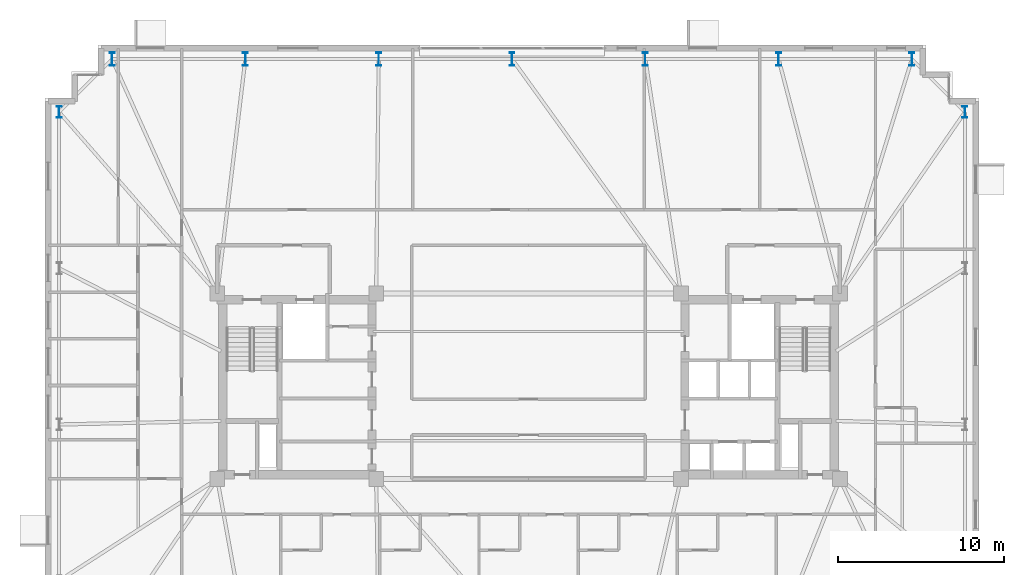
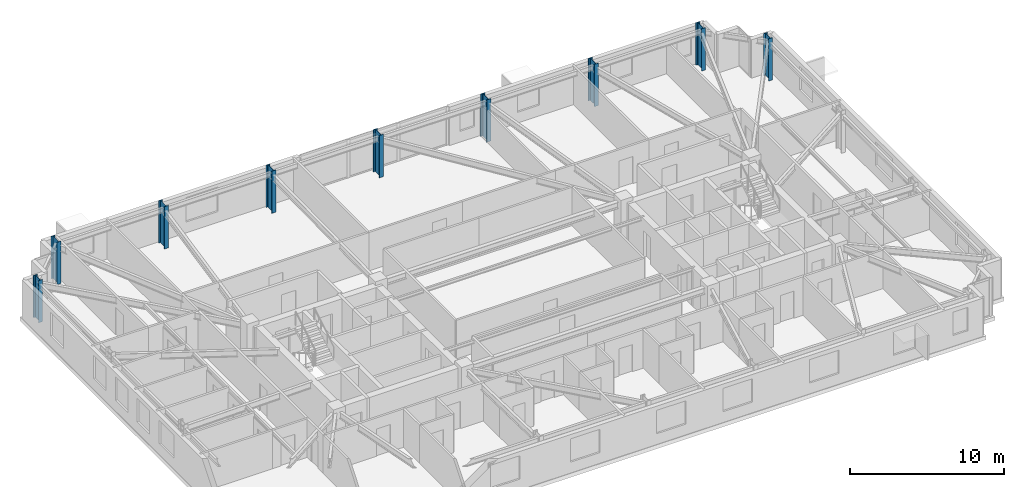
# One storey, part 2 of 18: 9 columns.
"""IFC4 building model written with IfcOpenShell, lengths in metres."""

import ifcopenshell
import ifcopenshell.guid

model = None  # the IFC model being written
_history = None  # IfcOwnerHistory: only IFC2X3 demands one
_inside = {}  # id of a spatial element -> (the spatial element, [elements in it])
_under = {}  # id of a project, library or spatial element -> (it, [spatial elements below it])
_declared = {}  # id of a project -> (the project, [libraries it declares])
_typed = {}  # id of a type object -> (the type object, [elements of that type])
_made_of = {}  # id of a material, layer set ... -> (it, [elements and type objects made of it])


def new_model(schema):
    """Start an empty IFC model of exactly this schema.

    Asked for "IFC4X3", IfcOpenShell would pick the latest addendum, in which some entities
    have other attributes; the version numbers below select the first issue.
    IFC2X3 requires an IfcOwnerHistory on every rooted entity: one is made here for all.
    """
    global model, _history
    if schema == "IFC4X3":
        model = ifcopenshell.file(schema_version=(4, 3, 0, 0))
    else:
        model = ifcopenshell.file(schema=schema)
    _inside.clear()
    _under.clear()
    _declared.clear()
    _typed.clear()
    _made_of.clear()
    _history = None
    if model.schema == "IFC2X3":
        org = make("IfcOrganization", Name="unknown")
        user = make(
            "IfcPersonAndOrganization",
            ThePerson=make("IfcPerson", FamilyName="unknown"),
            TheOrganization=org,
        )
        app = make(
            "IfcApplication",
            ApplicationDeveloper=org,
            Version="unknown",
            ApplicationFullName="unknown",
            ApplicationIdentifier="unknown",
        )
        _history = make(
            "IfcOwnerHistory",
            OwningUser=user,
            OwningApplication=app,
            ChangeAction="ADDED",
            CreationDate=0,
        )
    return model


def make(cls, **values):
    """One entity of the class cls with the attributes given. An attribute that is None is left unset."""
    return model.create_entity(
        cls, **{name: value for name, value in values.items() if value is not None}
    )


def rooted(cls, **values):
    """An entity with a GlobalId (a new one), such as an element, a storey or a relation."""
    return make(cls, GlobalId=ifcopenshell.guid.new(), OwnerHistory=_history, **values)


def si_unit(unit_type, name, prefix=None):
    """IfcSIUnit, for example si_unit("LENGTHUNIT", "METRE", prefix="MILLI")."""
    return make("IfcSIUnit", UnitType=unit_type, Prefix=prefix, Name=name)


def assignment(units):
    """IfcUnitAssignment: the units of a project."""
    return None if units is None else make("IfcUnitAssignment", Units=units)


def point(xyz):
    """IfcCartesianPoint."""
    return None if xyz is None else make("IfcCartesianPoint", Coordinates=xyz)


def direction(xyz):
    """IfcDirection."""
    return None if xyz is None else make("IfcDirection", DirectionRatios=xyz)


def frame(location, z_axis=None, x_axis=None):
    """IfcAxis2Placement3D, a coordinate frame: its origin and axes. An axis left out is left unset."""
    return make(
        "IfcAxis2Placement3D",
        Location=point(location),
        Axis=direction(z_axis),
        RefDirection=direction(x_axis),
    )


def frame_2d(location, x_axis=None):
    """IfcAxis2Placement2D, a coordinate frame in the plane: its origin and x axis."""
    return make(
        "IfcAxis2Placement2D", Location=point(location), RefDirection=direction(x_axis)
    )


def origin():
    """The frame at (0, 0, 0) with its axes left unset."""
    return frame((0.0, 0.0, 0.0))


def origin_2d():
    """The frame at (0, 0) in the plane with its x axis left unset."""
    return frame_2d((0.0, 0.0))


def place(relative_to, where):
    """IfcLocalPlacement: puts the frame where relative to a parent placement (None: the world)."""
    return make(
        "IfcLocalPlacement", PlacementRelTo=relative_to, RelativePlacement=where
    )


def context(
    kind, dimensions, precision=None, world=None, true_north=None, identifier=None
):
    """IfcGeometricRepresentationContext, for example the 3D "Model" context."""
    return make(
        "IfcGeometricRepresentationContext",
        ContextIdentifier=identifier,
        ContextType=kind,
        CoordinateSpaceDimension=dimensions,
        Precision=precision,
        WorldCoordinateSystem=world,
        TrueNorth=true_north,
    )


def subcontext(parent, identifier, kind, view, scale=None):
    """IfcGeometricRepresentationSubContext, for example "Body" below "Model"."""
    return make(
        "IfcGeometricRepresentationSubContext",
        ContextIdentifier=identifier,
        ContextType=kind,
        ParentContext=parent,
        TargetScale=scale,
        TargetView=view,
    )


def project(units=None, contexts=None):
    """IfcProject with its units and contexts."""
    return rooted(
        "IfcProject",
        Name="project",
        RepresentationContexts=contexts,
        UnitsInContext=assignment(units),
    )


def spatial(cls, under=None, at=None, **own):
    """A site, building, storey or space (cls), placed at a placement, below another one or the project."""
    s = rooted(cls, ObjectPlacement=at, **own)
    if under is not None:
        _under.setdefault(under.id(), (under, []))[1].append(s)
    return s


def profile(cls, at=None, kind="AREA", **sizes):
    """A parametric profile (cls). Its sizes go by their IFC names, for example OverallWidth=200.0."""
    return make(cls, ProfileType=kind, Position=at, **sizes)


def i_section(**sizes):
    """IfcIShapeProfileDef."""
    return profile("IfcIShapeProfileDef", **sizes)


def extrude(swept, where, along, depth):
    """IfcExtrudedAreaSolid: the profile swept, set in the frame where, extruded along a direction by depth."""
    return make(
        "IfcExtrudedAreaSolid",
        SweptArea=swept,
        Position=where,
        ExtrudedDirection=direction(along),
        Depth=depth,
    )


def shape(context_of_items, identifier, shape_type, items):
    """IfcShapeRepresentation: the items that make up one representation, for example the "Body"."""
    return make(
        "IfcShapeRepresentation",
        ContextOfItems=context_of_items,
        RepresentationIdentifier=identifier,
        RepresentationType=shape_type,
        Items=items,
    )


def material(Name=None, Category=None):
    """IfcMaterial."""
    return make("IfcMaterial", Name=Name, Category=Category)


def material_profile(
    of_material, cross_section, Name=None, Category=None, Priority=None
):
    """IfcMaterialProfile: a cross section and its material."""
    return make(
        "IfcMaterialProfile",
        Name=Name,
        Material=of_material,
        Profile=cross_section,
        Priority=Priority,
        Category=Category,
    )


def profile_set(profiles, Name=None, composite=None):
    """IfcMaterialProfileSet."""
    return make(
        "IfcMaterialProfileSet",
        Name=Name,
        MaterialProfiles=profiles,
        CompositeProfile=composite,
    )


def made_of(thing, what):
    """Note that an element or type object is made of a material, layer set ...; save() writes the relation."""
    if what is not None:
        _made_of.setdefault(what.id(), (what, []))[1].append(thing)
    return thing


def type_object(cls, material=None, **own):
    """A type object (cls), such as IfcWallType, which elements share."""
    return made_of(rooted(cls, **own), material)


def element(
    cls,
    number,
    at=None,
    inside=None,
    cuts=None,
    type_object=None,
    material=None,
    context=None,
    identifier="Body",
    shape_type=None,
    held_by="IfcProductDefinitionShape",
    body=None,
    shapes=None,
    **own,
):
    """One element of the class cls, such as IfcWall. Its Tag is "e" and its number.

    at: its placement. inside: the storey or other place that contains it. cuts: it is an
    opening in that element (IfcRelVoidsElement). A single representation is given by context,
    identifier, shape_type and body (its items); several are given by shapes. held_by: the class
    of the entity that holds the representations. save() writes the other relations.
    """
    e = rooted(cls, Tag="e%d" % number, ObjectPlacement=at, **own)
    if body is not None:
        shapes = [shape(context, identifier, shape_type, body)]
    if shapes is not None:
        e.Representation = make(held_by, Representations=shapes)
    if inside is not None:
        _inside.setdefault(inside.id(), (inside, []))[1].append(e)
    if cuts is not None:
        rooted(
            "IfcRelVoidsElement", RelatingBuildingElement=cuts, RelatedOpeningElement=e
        )
    if type_object is not None:
        _typed.setdefault(type_object.id(), (type_object, []))[1].append(e)
    return made_of(e, material)


def aggregate(whole, parts):
    """IfcRelAggregates: a whole, such as a stair, and the parts it consists of."""
    return rooted("IfcRelAggregates", RelatingObject=whole, RelatedObjects=parts)


def save(model, path):
    """Write the relations noted so far, then the file.

    IfcRelAggregates (storeys below a building ...), IfcRelContainedInSpatialStructure (elements
    in a storey), IfcRelDefinesByType, IfcRelAssociatesMaterial and IfcRelDeclares: one each for
    every whole, place, type object, material and project.
    """
    for whole, parts in _under.values():
        aggregate(whole, parts)
    for where, things in _inside.values():
        rooted(
            "IfcRelContainedInSpatialStructure",
            RelatedElements=things,
            RelatingStructure=where,
        )
    for kind, things in _typed.values():
        rooted("IfcRelDefinesByType", RelatedObjects=things, RelatingType=kind)
    for what, things in _made_of.values():
        rooted("IfcRelAssociatesMaterial", RelatedObjects=things, RelatingMaterial=what)
    for by, libraries in _declared.values():
        rooted("IfcRelDeclares", RelatingContext=by, RelatedDefinitions=libraries)
    model.write(path)


model = new_model("IFC4")

# Units and contexts
model_context = context("Model", 3, precision=1e-05, world=origin(), true_north=direction((0.0, 1.0)))
body_context = subcontext(model_context, "Body", "Model", "MODEL_VIEW")
ifc_project = project(units=[si_unit("LENGTHUNIT", "METRE"), si_unit("AREAUNIT", "SQUARE_METRE"), si_unit("VOLUMEUNIT", "CUBIC_METRE"), si_unit("PLANEANGLEUNIT", "RADIAN"), si_unit("MASSUNIT", "GRAM", prefix="KILO")], contexts=[model_context])

# Site, building, storey
site_placement = place(None, origin())
site = spatial("IfcSite", under=ifc_project, at=site_placement, CompositionType="ELEMENT")
building_placement = place(site_placement, origin())
building = spatial("IfcBuilding", under=site, at=building_placement, Name="Qobustan Lattice House", CompositionType="ELEMENT")
storey_placement = place(building_placement, frame((0.0, 0.0, 147.75)))
storey = spatial("IfcBuildingStorey", under=building, at=storey_placement, Name="L41", CompositionType="ELEMENT", Elevation=147.75)

# Columns
ifc_material_1 = material(Name="Steel S355", Category="steel")
ifc_material_profile_1 = material_profile(ifc_material_1, i_section(OverallWidth=0.300048828125, OverallDepth=0.699951171875, WebThickness=0.01708984375, FlangeThickness=0.031982421875, FilletRadius=0.027099609375, at=origin_2d()), Name="HEB700")
ifc_profile_set_1 = profile_set([ifc_material_profile_1], Name="Steel S355")
column_type_1 = type_object("IfcColumnType", Name="COL-ST-HEB700", PredefinedType="COLUMN", material=ifc_profile_set_1)
for number, where, z_axis, x_axis, name in (
    (1, (26.35009765625, 16.550048828125, 0.0), (0.0, 0.0, 1.0), (1.0, 0.0, 0.0), "L41 B3 perimeter column E4"),
    (2, (-28.35009765625, 16.550048828125, 0.0), (0.0, 0.0, 1.0), (1.0, 0.0, 0.0), "L41 B3 perimeter column W1"),
):
    element("IfcColumn", number, at=place(storey_placement, frame(where, z_axis=z_axis, x_axis=x_axis)), inside=storey, type_object=column_type_1, Name=name, PredefinedType="COLUMN", context=body_context, shape_type="SweptSolid", body=[
        extrude(i_section(OverallWidth=0.300048828125, OverallDepth=0.699951171875, WebThickness=0.01708984375, FlangeThickness=0.031982421875, FilletRadius=0.027099609375, at=origin_2d()), origin(), (0.0, 0.0, 1.0), 3.35009765625),
    ])
ifc_material_2 = material(Name="Steel S355", Category="steel")
ifc_material_profile_2 = material_profile(ifc_material_2, i_section(OverallWidth=0.300048828125, OverallDepth=0.800048828125, WebThickness=0.017578125, FlangeThickness=0.032958984375, FilletRadius=0.030029296875, at=origin_2d()), Name="HEB800")
ifc_profile_set_2 = profile_set([ifc_material_profile_2], Name="Steel S355")
column_type_2 = type_object("IfcColumnType", Name="COL-ST-HEB800", PredefinedType="COLUMN", material=ifc_profile_set_2)
for number, where, z_axis, x_axis, name in (
    (3, (23.14990234375, 19.75, 0.0), (0.0, 0.0, 1.0), (1.0, 0.0, 0.0), "L41 B3 perimeter column N1"),
    (4, (15.10009765625, 19.75, 0.0), (0.0, 0.0, 1.0), (1.0, 0.0, 0.0), "L41 B3 perimeter column N2"),
    (5, (7.050048828125, 19.75, 0.0), (0.0, 0.0, 1.0), (1.0, 0.0, 0.0), "L41 B3 perimeter column N3"),
    (6, (-1.0, 19.75, 0.0), (0.0, 0.0, 1.0), (1.0, 0.0, 0.0), "L41 B3 perimeter column N4"),
    (7, (-9.050048828125, 19.75, 0.0), (0.0, 0.0, 1.0), (1.0, 0.0, 0.0), "L41 B3 perimeter column N5"),
    (8, (-17.10009765625, 19.75, 0.0), (0.0, 0.0, 1.0), (1.0, 0.0, 0.0), "L41 B3 perimeter column N6"),
    (9, (-25.14990234375, 19.75, 0.0), (0.0, 0.0, 1.0), (1.0, 0.0, 0.0), "L41 B3 perimeter column N7"),
):
    element("IfcColumn", number, at=place(storey_placement, frame(where, z_axis=z_axis, x_axis=x_axis)), inside=storey, type_object=column_type_2, Name=name, PredefinedType="COLUMN", context=body_context, shape_type="SweptSolid", body=[
        extrude(i_section(OverallWidth=0.300048828125, OverallDepth=0.800048828125, WebThickness=0.017578125, FlangeThickness=0.032958984375, FilletRadius=0.030029296875, at=origin_2d()), origin(), (0.0, 0.0, 1.0), 3.35009765625),
    ])

save(model, "model.ifc")
